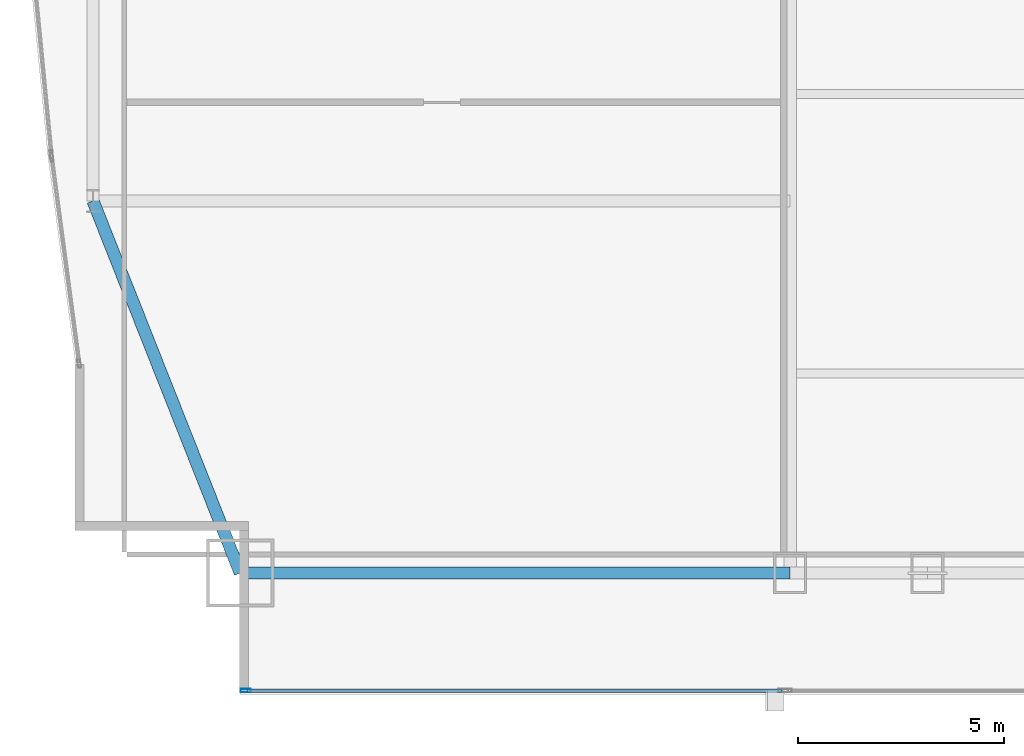
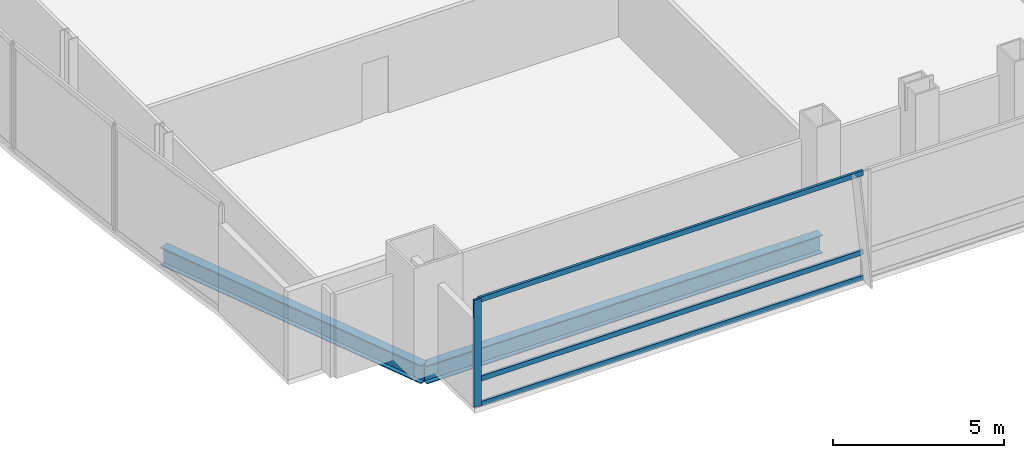
# One storey, part 5 of 35: 4 members, 2 beams, 1 element without a shape of its own.
"""IFC4 building model written with IfcOpenShell, lengths in metres."""

from ifc_helpers import new_model, si_unit, direction, frame, origin, origin_2d, place, context, subcontext, project, spatial, hollow_rectangle, i_section, extrude, material, material_profile, profile_set, type_object, element, aggregate, save


model = new_model("IFC4")

# Units and contexts
model_context = context("Model", 3, precision=1e-05, world=origin(), true_north=direction((0.0, 1.0)))
body_context = subcontext(model_context, "Body", "Model", "MODEL_VIEW")
ifc_project = project(units=[si_unit("LENGTHUNIT", "METRE"), si_unit("AREAUNIT", "SQUARE_METRE"), si_unit("VOLUMEUNIT", "CUBIC_METRE"), si_unit("PLANEANGLEUNIT", "RADIAN"), si_unit("MASSUNIT", "GRAM", prefix="KILO")], contexts=[model_context])

# Site, building, storey
site_placement = place(None, origin())
site = spatial("IfcSite", under=ifc_project, at=site_placement, CompositionType="ELEMENT")
building_placement = place(site_placement, origin())
building = spatial("IfcBuilding", under=site, at=building_placement, Name="Khoronbel Lancet Exchange", CompositionType="ELEMENT")
storey_placement = place(building_placement, frame((0.0, 0.0, 69.800048828125)))
storey = spatial("IfcBuildingStorey", under=building, at=storey_placement, Name="L16", CompositionType="ELEMENT", Elevation=69.800048828125)

# Beams
ifc_material_1 = material(Name="Steel S355", Category="steel")
ifc_material_profile_1 = material_profile(ifc_material_1, i_section(OverallWidth=0.300048828125, OverallDepth=0.64990234375, WebThickness=0.01611328125, FlangeThickness=0.031005859375, at=origin_2d()), Name="HEB 650")
ifc_profile_set_1 = profile_set([ifc_material_profile_1], Name="Steel S355")
beam_type = type_object("IfcBeamType", Name="BM-BSP1", PredefinedType="SPANDREL", material=ifc_profile_set_1)
beam_1_placement = place(storey_placement, frame((4.85009765625, 10.14990234375, -0.505126953125), z_axis=(1.0, 0.0, 0.0), x_axis=(0.0, 1.0, 0.0)))
element("IfcBeam", 1, at=beam_1_placement, inside=storey, type_object=beam_type, Name="Level L16 perimeter spandrel beam SP01", PredefinedType="SPANDREL", context=body_context, shape_type="SweptSolid", body=[
    extrude(i_section(OverallWidth=0.300048828125, OverallDepth=0.64990234375, WebThickness=0.01611328125, FlangeThickness=0.031005859375, at=origin_2d()), origin(), (0.0, 0.0, 1.0), 13.375),
])
beam_2_placement = place(storey_placement, frame((1.27001953125, 19.199951171875, -0.505126953125), z_axis=(0.367850095026, -0.92988510451, 0.0), x_axis=(0.92988510451, 0.367850095026, 0.0)))
element("IfcBeam", 2, at=beam_2_placement, inside=storey, type_object=beam_type, Name="Level L16 perimeter spandrel beam SP21", PredefinedType="SPANDREL", context=body_context, shape_type="SweptSolid", body=[
    extrude(i_section(OverallWidth=0.300048828125, OverallDepth=0.64990234375, WebThickness=0.01611328125, FlangeThickness=0.031005859375, at=origin_2d()), origin(), (0.0, 0.0, 1.0), 9.732421875),
])

# Curtain wall, members
ifc_material_2 = material(Name="Low-E Solar Control Insulating Glass", Category="glass")
curtain_wall_type = type_object("IfcCurtainWallType", Name="CW-1", PredefinedType="NOTDEFINED", material=ifc_material_2)
curtain_wall_placement = place(storey_placement, origin())
curtain_wall = element("IfcCurtainWall", 3, at=curtain_wall_placement, inside=storey, type_object=curtain_wall_type, Name="Unitised curtain wall CW-L16-SWV", PredefinedType="NOTDEFINED")
ifc_material_3 = material(Name="Bronze-Anodised Aluminium 6063-T6", Category="aluminium")
ifc_material_profile_2 = material_profile(ifc_material_3, hollow_rectangle(XDim=0.0849609375, YDim=0.239990234375, WallThickness=0.006103515625, at=origin_2d()), Name="ALU MULLION 85x240")
ifc_profile_set_2 = profile_set([ifc_material_profile_2], Name="Bronze-Anodised Aluminium 6063-T6")
member_type_1 = type_object("IfcMemberType", Name="MEM-CWM1", PredefinedType="MULLION", material=ifc_profile_set_2)
member_1_placement = place(storey_placement, frame((4.982421875, 7.2900390625, 0.0), z_axis=(0.0, 0.0, 1.0), x_axis=(0.0, 1.0, 0.0)))
member_1 = element("IfcMember", 4, at=member_1_placement, type_object=member_type_1, Name="CW1 mullion 1", PredefinedType="MULLION", context=body_context, shape_type="SweptSolid", body=[
    extrude(hollow_rectangle(XDim=0.0849609375, YDim=0.239990234375, WallThickness=0.006103515625, at=origin_2d()), origin(), (0.0, 0.0, 1.0), 3.820068359375),
])
ifc_material_profile_3 = material_profile(ifc_material_3, hollow_rectangle(XDim=0.0849609375, YDim=0.179931640625, WallThickness=0.0048828125, at=origin_2d()), Name="ALU TRANSOM 85x180")
ifc_profile_set_3 = profile_set([ifc_material_profile_3], Name="Bronze-Anodised Aluminium 6063-T6")
member_type_2 = type_object("IfcMemberType", Name="MEM-CWT1", PredefinedType="USERDEFINED", material=ifc_profile_set_3)
member_2_placement = place(storey_placement, frame((5.02490234375, 7.2900390625, 0.04248046875), z_axis=(1.0, 0.0, 0.0), x_axis=(0.0, 1.0, 0.0)))
member_2 = element("IfcMember", 5, at=member_2_placement, type_object=member_type_2, Name="CW1 transom 1.1", ObjectType="TRANSOM", PredefinedType="USERDEFINED", context=body_context, shape_type="SweptSolid", body=[
    extrude(hollow_rectangle(XDim=0.0849609375, YDim=0.179931640625, WallThickness=0.0048828125, at=origin_2d()), origin(), (0.0, 0.0, 1.0), 12.989990234375),
])
member_3_placement = place(storey_placement, frame((5.02490234375, 7.2900390625, 0.949951171875), z_axis=(1.0, 0.0, 0.0), x_axis=(0.0, 1.0, 0.0)))
member_3 = element("IfcMember", 6, at=member_3_placement, type_object=member_type_2, Name="CW1 transom 1.2", ObjectType="TRANSOM", PredefinedType="USERDEFINED", context=body_context, shape_type="SweptSolid", body=[
    extrude(hollow_rectangle(XDim=0.0849609375, YDim=0.179931640625, WallThickness=0.0048828125, at=origin_2d()), origin(), (0.0, 0.0, 1.0), 12.989990234375),
])
member_4_placement = place(storey_placement, frame((5.02490234375, 7.2900390625, 3.77734375), z_axis=(1.0, 0.0, 0.0), x_axis=(0.0, 1.0, 0.0)))
member_4 = element("IfcMember", 7, at=member_4_placement, type_object=member_type_2, Name="CW1 transom 1.3", ObjectType="TRANSOM", PredefinedType="USERDEFINED", context=body_context, shape_type="SweptSolid", body=[
    extrude(hollow_rectangle(XDim=0.0849609375, YDim=0.179931640625, WallThickness=0.0048828125, at=origin_2d()), origin(), (0.0, 0.0, 1.0), 12.989990234375),
])
aggregate(curtain_wall, [member_1, member_2, member_3, member_4])

save(model, "model.ifc")
